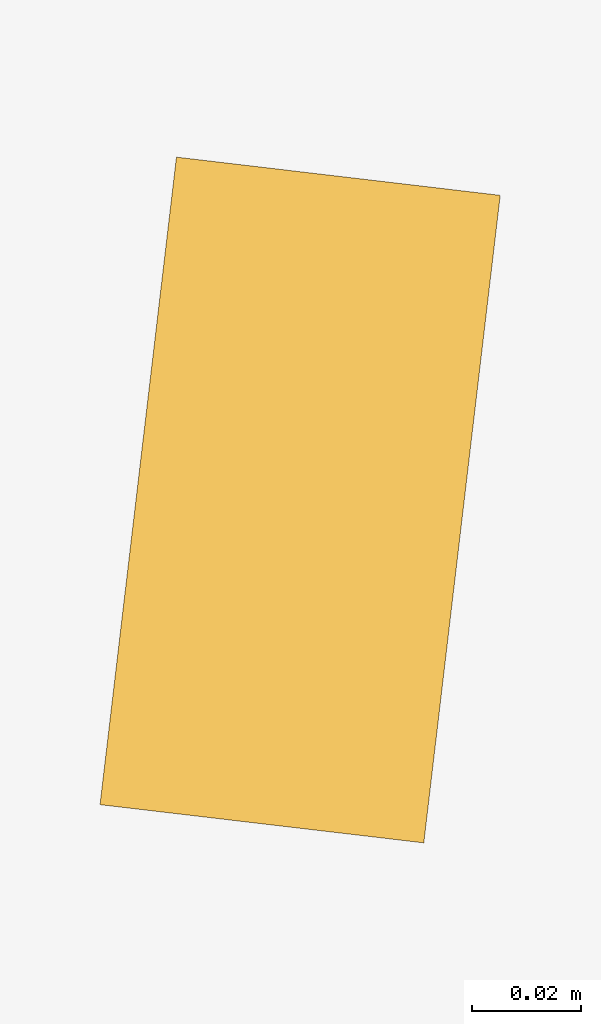
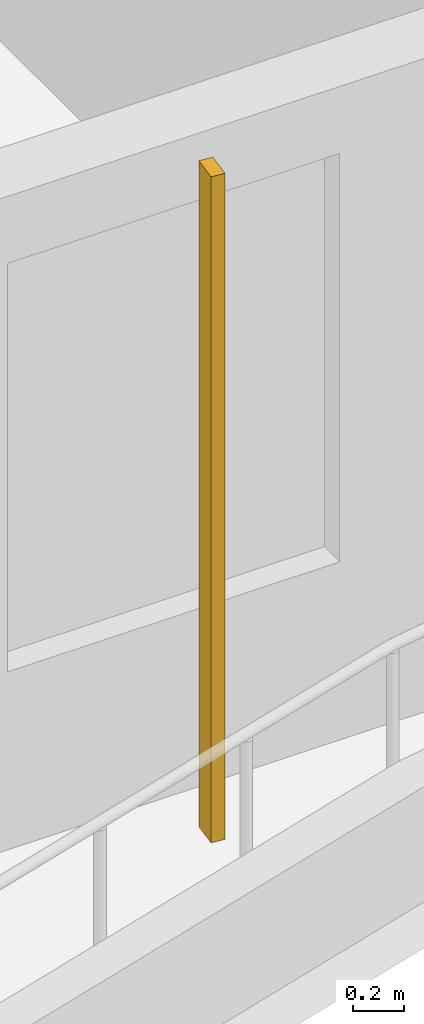
# One storey, part 16 of 23: 1 shading device.
"""IFC4 building model written with IfcOpenShell, lengths in metres."""

import ifcopenshell
import ifcopenshell.guid

model = None  # the IFC model being written
_history = None  # IfcOwnerHistory: only IFC2X3 demands one
_inside = {}  # id of a spatial element -> (the spatial element, [elements in it])
_under = {}  # id of a project, library or spatial element -> (it, [spatial elements below it])
_declared = {}  # id of a project -> (the project, [libraries it declares])
_typed = {}  # id of a type object -> (the type object, [elements of that type])
_made_of = {}  # id of a material, layer set ... -> (it, [elements and type objects made of it])


def new_model(schema):
    """Start an empty IFC model of exactly this schema.

    Asked for "IFC4X3", IfcOpenShell would pick the latest addendum, in which some entities
    have other attributes; the version numbers below select the first issue.
    IFC2X3 requires an IfcOwnerHistory on every rooted entity: one is made here for all.
    """
    global model, _history
    if schema == "IFC4X3":
        model = ifcopenshell.file(schema_version=(4, 3, 0, 0))
    else:
        model = ifcopenshell.file(schema=schema)
    _inside.clear()
    _under.clear()
    _declared.clear()
    _typed.clear()
    _made_of.clear()
    _history = None
    if model.schema == "IFC2X3":
        org = make("IfcOrganization", Name="unknown")
        user = make(
            "IfcPersonAndOrganization",
            ThePerson=make("IfcPerson", FamilyName="unknown"),
            TheOrganization=org,
        )
        app = make(
            "IfcApplication",
            ApplicationDeveloper=org,
            Version="unknown",
            ApplicationFullName="unknown",
            ApplicationIdentifier="unknown",
        )
        _history = make(
            "IfcOwnerHistory",
            OwningUser=user,
            OwningApplication=app,
            ChangeAction="ADDED",
            CreationDate=0,
        )
    return model


def make(cls, **values):
    """One entity of the class cls with the attributes given. An attribute that is None is left unset."""
    return model.create_entity(
        cls, **{name: value for name, value in values.items() if value is not None}
    )


def rooted(cls, **values):
    """An entity with a GlobalId (a new one), such as an element, a storey or a relation."""
    return make(cls, GlobalId=ifcopenshell.guid.new(), OwnerHistory=_history, **values)


def si_unit(unit_type, name, prefix=None):
    """IfcSIUnit, for example si_unit("LENGTHUNIT", "METRE", prefix="MILLI")."""
    return make("IfcSIUnit", UnitType=unit_type, Prefix=prefix, Name=name)


def assignment(units):
    """IfcUnitAssignment: the units of a project."""
    return None if units is None else make("IfcUnitAssignment", Units=units)


def point(xyz):
    """IfcCartesianPoint."""
    return None if xyz is None else make("IfcCartesianPoint", Coordinates=xyz)


def direction(xyz):
    """IfcDirection."""
    return None if xyz is None else make("IfcDirection", DirectionRatios=xyz)


def frame(location, z_axis=None, x_axis=None):
    """IfcAxis2Placement3D, a coordinate frame: its origin and axes. An axis left out is left unset."""
    return make(
        "IfcAxis2Placement3D",
        Location=point(location),
        Axis=direction(z_axis),
        RefDirection=direction(x_axis),
    )


def frame_2d(location, x_axis=None):
    """IfcAxis2Placement2D, a coordinate frame in the plane: its origin and x axis."""
    return make(
        "IfcAxis2Placement2D", Location=point(location), RefDirection=direction(x_axis)
    )


def origin():
    """The frame at (0, 0, 0) with its axes left unset."""
    return frame((0.0, 0.0, 0.0))


def origin_2d():
    """The frame at (0, 0) in the plane with its x axis left unset."""
    return frame_2d((0.0, 0.0))


def place(relative_to, where):
    """IfcLocalPlacement: puts the frame where relative to a parent placement (None: the world)."""
    return make(
        "IfcLocalPlacement", PlacementRelTo=relative_to, RelativePlacement=where
    )


def context(
    kind, dimensions, precision=None, world=None, true_north=None, identifier=None
):
    """IfcGeometricRepresentationContext, for example the 3D "Model" context."""
    return make(
        "IfcGeometricRepresentationContext",
        ContextIdentifier=identifier,
        ContextType=kind,
        CoordinateSpaceDimension=dimensions,
        Precision=precision,
        WorldCoordinateSystem=world,
        TrueNorth=true_north,
    )


def subcontext(parent, identifier, kind, view, scale=None):
    """IfcGeometricRepresentationSubContext, for example "Body" below "Model"."""
    return make(
        "IfcGeometricRepresentationSubContext",
        ContextIdentifier=identifier,
        ContextType=kind,
        ParentContext=parent,
        TargetScale=scale,
        TargetView=view,
    )


def project(units=None, contexts=None):
    """IfcProject with its units and contexts."""
    return rooted(
        "IfcProject",
        Name="project",
        RepresentationContexts=contexts,
        UnitsInContext=assignment(units),
    )


def spatial(cls, under=None, at=None, **own):
    """A site, building, storey or space (cls), placed at a placement, below another one or the project."""
    s = rooted(cls, ObjectPlacement=at, **own)
    if under is not None:
        _under.setdefault(under.id(), (under, []))[1].append(s)
    return s


def profile(cls, at=None, kind="AREA", **sizes):
    """A parametric profile (cls). Its sizes go by their IFC names, for example OverallWidth=200.0."""
    return make(cls, ProfileType=kind, Position=at, **sizes)


def rectangle(**sizes):
    """IfcRectangleProfileDef."""
    return profile("IfcRectangleProfileDef", **sizes)


def extrude(swept, where, along, depth):
    """IfcExtrudedAreaSolid: the profile swept, set in the frame where, extruded along a direction by depth."""
    return make(
        "IfcExtrudedAreaSolid",
        SweptArea=swept,
        Position=where,
        ExtrudedDirection=direction(along),
        Depth=depth,
    )


def shape(context_of_items, identifier, shape_type, items):
    """IfcShapeRepresentation: the items that make up one representation, for example the "Body"."""
    return make(
        "IfcShapeRepresentation",
        ContextOfItems=context_of_items,
        RepresentationIdentifier=identifier,
        RepresentationType=shape_type,
        Items=items,
    )


def source(mapping_origin, context_of_items, identifier, shape_type, items):
    """IfcRepresentationMap: a shape defined once, which mapped items show again and again."""
    return make(
        "IfcRepresentationMap",
        MappingOrigin=mapping_origin,
        MappedRepresentation=shape(context_of_items, identifier, shape_type, items),
    )


def transform(
    local_origin,
    x_axis=None,
    y_axis=None,
    z_axis=None,
    scale=None,
    scale2=None,
    scale3=None,
    uniform=True,
):
    """IfcCartesianTransformationOperator3D, or its non-uniform kind. x_axis, y_axis, z_axis: its Axis1, 2, 3."""
    if uniform:
        return make(
            "IfcCartesianTransformationOperator3D",
            Axis1=direction(x_axis),
            Axis2=direction(y_axis),
            LocalOrigin=point(local_origin),
            Scale=scale,
            Axis3=direction(z_axis),
        )
    return make(
        "IfcCartesianTransformationOperator3DnonUniform",
        Axis1=direction(x_axis),
        Axis2=direction(y_axis),
        LocalOrigin=point(local_origin),
        Scale=scale,
        Axis3=direction(z_axis),
        Scale2=scale2,
        Scale3=scale3,
    )


def mapped(mapping_source, mapping_target):
    """IfcMappedItem: shows the shape of a source again, moved by a transform."""
    return make(
        "IfcMappedItem", MappingSource=mapping_source, MappingTarget=mapping_target
    )


def material(Name=None, Category=None):
    """IfcMaterial."""
    return make("IfcMaterial", Name=Name, Category=Category)


def material_profile(
    of_material, cross_section, Name=None, Category=None, Priority=None
):
    """IfcMaterialProfile: a cross section and its material."""
    return make(
        "IfcMaterialProfile",
        Name=Name,
        Material=of_material,
        Profile=cross_section,
        Priority=Priority,
        Category=Category,
    )


def profile_set(profiles, Name=None, composite=None):
    """IfcMaterialProfileSet."""
    return make(
        "IfcMaterialProfileSet",
        Name=Name,
        MaterialProfiles=profiles,
        CompositeProfile=composite,
    )


def made_of(thing, what):
    """Note that an element or type object is made of a material, layer set ...; save() writes the relation."""
    if what is not None:
        _made_of.setdefault(what.id(), (what, []))[1].append(thing)
    return thing


def type_object(cls, material=None, **own):
    """A type object (cls), such as IfcWallType, which elements share."""
    return made_of(rooted(cls, **own), material)


def element(
    cls,
    number,
    at=None,
    inside=None,
    cuts=None,
    type_object=None,
    material=None,
    context=None,
    identifier="Body",
    shape_type=None,
    held_by="IfcProductDefinitionShape",
    body=None,
    shapes=None,
    **own,
):
    """One element of the class cls, such as IfcWall. Its Tag is "e" and its number.

    at: its placement. inside: the storey or other place that contains it. cuts: it is an
    opening in that element (IfcRelVoidsElement). A single representation is given by context,
    identifier, shape_type and body (its items); several are given by shapes. held_by: the class
    of the entity that holds the representations. save() writes the other relations.
    """
    e = rooted(cls, Tag="e%d" % number, ObjectPlacement=at, **own)
    if body is not None:
        shapes = [shape(context, identifier, shape_type, body)]
    if shapes is not None:
        e.Representation = make(held_by, Representations=shapes)
    if inside is not None:
        _inside.setdefault(inside.id(), (inside, []))[1].append(e)
    if cuts is not None:
        rooted(
            "IfcRelVoidsElement", RelatingBuildingElement=cuts, RelatedOpeningElement=e
        )
    if type_object is not None:
        _typed.setdefault(type_object.id(), (type_object, []))[1].append(e)
    return made_of(e, material)


def aggregate(whole, parts):
    """IfcRelAggregates: a whole, such as a stair, and the parts it consists of."""
    return rooted("IfcRelAggregates", RelatingObject=whole, RelatedObjects=parts)


def save(model, path):
    """Write the relations noted so far, then the file.

    IfcRelAggregates (storeys below a building ...), IfcRelContainedInSpatialStructure (elements
    in a storey), IfcRelDefinesByType, IfcRelAssociatesMaterial and IfcRelDeclares: one each for
    every whole, place, type object, material and project.
    """
    for whole, parts in _under.values():
        aggregate(whole, parts)
    for where, things in _inside.values():
        rooted(
            "IfcRelContainedInSpatialStructure",
            RelatedElements=things,
            RelatingStructure=where,
        )
    for kind, things in _typed.values():
        rooted("IfcRelDefinesByType", RelatedObjects=things, RelatingType=kind)
    for what, things in _made_of.values():
        rooted("IfcRelAssociatesMaterial", RelatedObjects=things, RelatingMaterial=what)
    for by, libraries in _declared.values():
        rooted("IfcRelDeclares", RelatingContext=by, RelatedDefinitions=libraries)
    model.write(path)


model = new_model("IFC4")

# Units and contexts
model_context = context("Model", 3, precision=1e-05, world=origin(), true_north=direction((0.0, 1.0)))
body_context = subcontext(model_context, "Body", "Model", "MODEL_VIEW")
ifc_project = project(units=[si_unit("LENGTHUNIT", "METRE"), si_unit("AREAUNIT", "SQUARE_METRE"), si_unit("VOLUMEUNIT", "CUBIC_METRE"), si_unit("PLANEANGLEUNIT", "RADIAN"), si_unit("MASSUNIT", "GRAM", prefix="KILO")], contexts=[model_context])

# Site, building, storey
site_placement = place(None, origin())
site = spatial("IfcSite", under=ifc_project, at=site_placement, CompositionType="ELEMENT")
building_placement = place(site_placement, origin())
building = spatial("IfcBuilding", under=site, at=building_placement, Name="Kilnfold Tower and Market Hall", CompositionType="ELEMENT")
storey_placement = place(building_placement, frame((0.0, 0.0, 203.300048828125)))
storey = spatial("IfcBuildingStorey", under=building, at=storey_placement, Name="L49", CompositionType="ELEMENT", Elevation=203.300048828125)

# Shading device
ifc_material = material(Name="Terracotta", Category="masonry")
ifc_material_profile = material_profile(ifc_material, rectangle(XDim=0.06005859375, YDim=0.1201171875, at=origin_2d()), Name="BAG 60x120")
ifc_profile_set = profile_set([ifc_material_profile], Name="Terracotta")
shading_device_type = type_object("IfcShadingDeviceType", Name="BAGUETTE", PredefinedType="USERDEFINED", material=ifc_profile_set)
shared_shape = source(origin(), body_context, "Body", "SweptSolid", [
    extrude(rectangle(XDim=0.06005859375, YDim=0.1201171875, at=origin_2d()), origin(), (0.0, 0.0, 1.0), 3.179931640625),
])
shading_device_placement = place(storey_placement, frame((10.5, -26.550048828125, 0.0), z_axis=(0.0, 0.0, 1.0), x_axis=(0.993106560938, -0.117215010225, 0.0)))
element("IfcShadingDevice", 1, at=shading_device_placement, inside=storey, type_object=shading_device_type, Name="Terracotta baguette L49 S", ObjectType="BAGUETTE", PredefinedType="USERDEFINED", context=body_context, shape_type="MappedRepresentation", body=[
    mapped(shared_shape, transform((0.0, 0.0, 0.0))),
])

save(model, "model.ifc")
